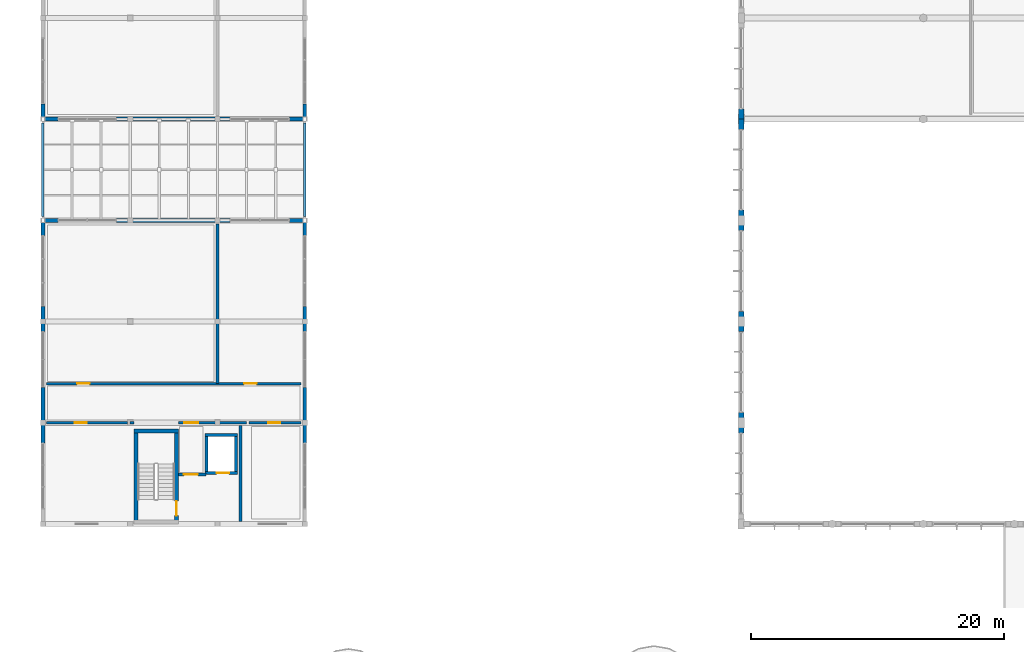
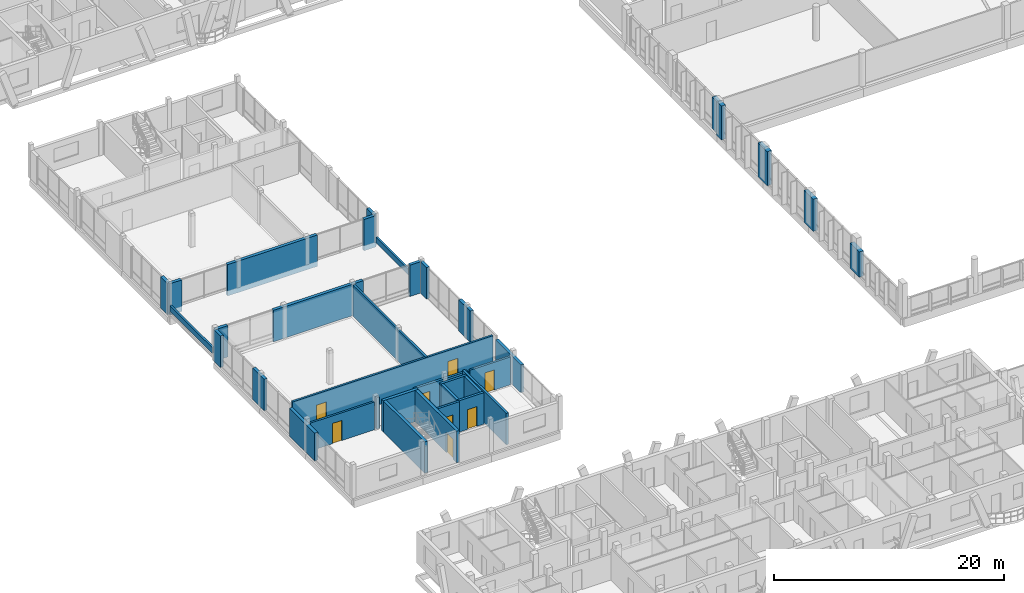
# One storey, part 146 of 189: 36 walls, 8 doors, 8 openings.
"""IFC4 building model written with IfcOpenShell, lengths in metres."""

from ifc_helpers import new_model, si_unit, direction, frame, frame_2d, origin, origin_with_axes, place, context, subcontext, project, spatial, rectangle, extrude, material, layer, layer_set, type_object, element, fill, save


model = new_model("IFC4")

# Units and contexts
model_context = context("Model", 3, precision=1e-05, world=origin(), true_north=direction((0.0, 1.0)))
body_context = subcontext(model_context, "Body", "Model", "MODEL_VIEW")
ifc_project = project(units=[si_unit("LENGTHUNIT", "METRE"), si_unit("AREAUNIT", "SQUARE_METRE"), si_unit("VOLUMEUNIT", "CUBIC_METRE"), si_unit("PLANEANGLEUNIT", "RADIAN"), si_unit("MASSUNIT", "GRAM", prefix="KILO")], contexts=[model_context])

# Site, building, storey
site_placement = place(None, origin())
site = spatial("IfcSite", under=ifc_project, at=site_placement, CompositionType="ELEMENT")
building_placement = place(site_placement, origin())
building = spatial("IfcBuilding", under=site, at=building_placement, Name="Zavelmont Quarter", CompositionType="ELEMENT")
storey_placement = place(building_placement, frame((0.0, 0.0, 4.39990234375)))
storey = spatial("IfcBuildingStorey", under=building, at=storey_placement, Name="L01", CompositionType="ELEMENT", Elevation=4.39990234375)

# Walls
ifc_material_1 = material(Name="Natural Belgian limestone", Category="masonry")
ifc_layer_1 = layer(ifc_material_1, 0.419921875)
ifc_layer_set_1 = layer_set([ifc_layer_1], Name="Natural Belgian limestone")
wall_type_1 = type_object("IfcWallType", Name="EW04", PredefinedType="STANDARD", material=ifc_layer_set_1)
wall_1_placement = place(storey_placement, frame((55.199951171875, 37.199951171875, -0.27978515625), z_axis=(0.0, 0.0, 1.0), x_axis=(0.0, 1.0, 0.0)))
element("IfcWall", 1, at=wall_1_placement, inside=storey, type_object=wall_type_1, Name="L01 exterior limestone wall EW04", PredefinedType="STANDARD", context=body_context, shape_type="SweptSolid", body=[
    extrude(rectangle(XDim=1.60009765625, YDim=0.419921875, at=frame_2d((0.800048828125, 0.0))), origin(), (0.0, 0.0, 1.0), 2.6748046875),
])
wall_2_placement = place(storey_placement, frame((55.199951171875, 45.199951171875, -0.27978515625), z_axis=(0.0, 0.0, 1.0), x_axis=(0.0, 1.0, 0.0)))
element("IfcWall", 2, at=wall_2_placement, inside=storey, type_object=wall_type_1, Name="L01 exterior limestone wall EW04", PredefinedType="STANDARD", context=body_context, shape_type="SweptSolid", body=[
    extrude(rectangle(XDim=1.60009765625, YDim=0.419921875, at=frame_2d((0.800048828125, 0.0))), origin(), (0.0, 0.0, 1.0), 3.4248046875),
])
wall_3_placement = place(storey_placement, frame((55.199951171875, 53.199951171875, -0.27978515625), z_axis=(0.0, 0.0, 1.0), x_axis=(0.0, 1.0, 0.0)))
element("IfcWall", 3, at=wall_3_placement, inside=storey, type_object=wall_type_1, Name="L01 exterior limestone wall EW04", PredefinedType="STANDARD", context=body_context, shape_type="SweptSolid", body=[
    extrude(rectangle(XDim=1.60009765625, YDim=0.419921875, at=frame_2d((0.800048828125, 0.0))), origin(), (0.0, 0.0, 1.0), 3.619873046875),
])
wall_4_placement = place(storey_placement, frame((55.199951171875, 61.199951171875, -0.27978515625), z_axis=(0.0, 0.0, 1.0), x_axis=(0.0, 1.0, 0.0)))
element("IfcWall", 4, at=wall_4_placement, inside=storey, type_object=wall_type_1, Name="L01 exterior limestone wall EW04", PredefinedType="STANDARD", context=body_context, shape_type="SweptSolid", body=[
    extrude(rectangle(XDim=0.800048828125, YDim=0.419921875, at=frame_2d((0.39990234375, 0.0))), origin(), (0.0, 0.0, 1.0), 3.619873046875),
])
wall_5_placement = place(storey_placement, frame((55.199951171875, 62.0, 0.0), z_axis=(0.0, 0.0, 1.0), x_axis=(0.0, 1.0, 0.0)))
element("IfcWall", 5, at=wall_5_placement, inside=storey, type_object=wall_type_1, Name="L01 exterior limestone wall EW04", PredefinedType="STANDARD", context=body_context, shape_type="SweptSolid", body=[
    extrude(rectangle(XDim=0.800048828125, YDim=0.419921875, at=frame_2d((0.39990234375, 0.0))), origin(), (0.0, 0.0, 1.0), 3.340087890625),
])
ifc_layer_2 = layer(ifc_material_1, 0.31005859375)
ifc_layer_set_2 = layer_set([ifc_layer_2], Name="Natural Belgian limestone")
wall_type_2 = type_object("IfcWallType", Name="EW06", PredefinedType="STANDARD", material=ifc_layer_set_2)
wall_6_placement = place(storey_placement, frame((0.0, 36.39990234375, 0.0), z_axis=(0.0, 0.0, 1.0), x_axis=(0.0, 1.0, 0.0)))
element("IfcWall", 6, at=wall_6_placement, inside=storey, type_object=wall_type_2, Name="L01 exterior limestone wall EW06", PredefinedType="STANDARD", context=body_context, shape_type="SweptSolid", body=[
    extrude(rectangle(XDim=4.400146484375, YDim=0.31005859375, at=frame_2d((2.2001953125, 0.0))), origin(), (0.0, 0.0, 1.0), 2.960205078125),
])
wall_7_placement = place(storey_placement, frame((0.0, 45.199951171875, 0.0), z_axis=(0.0, 0.0, 1.0), x_axis=(0.0, 1.0, 0.0)))
element("IfcWall", 7, at=wall_7_placement, inside=storey, type_object=wall_type_2, Name="L01 exterior limestone wall EW06", PredefinedType="STANDARD", context=body_context, shape_type="SweptSolid", body=[
    extrude(rectangle(XDim=2.0, YDim=0.31005859375, at=frame_2d((1.0, 0.0))), origin(), (0.0, 0.0, 1.0), 3.330078125),
])
wall_8_placement = place(storey_placement, frame((0.0, 52.800048828125, 0.0), z_axis=(0.0, 0.0, 1.0), x_axis=(0.0, 1.0, 0.0)))
element("IfcWall", 8, at=wall_8_placement, inside=storey, type_object=wall_type_2, Name="L01 exterior limestone wall EW06", PredefinedType="STANDARD", context=body_context, shape_type="SweptSolid", body=[
    extrude(rectangle(XDim=1.199951171875, YDim=0.31005859375, at=frame_2d((0.60009765625, 0.0))), origin(), (0.0, 0.0, 1.0), 3.330078125),
])
wall_9_placement = place(storey_placement, frame((20.699951171875, 36.39990234375, 0.0), z_axis=(0.0, 0.0, 1.0), x_axis=(0.0, 1.0, 0.0)))
element("IfcWall", 9, at=wall_9_placement, inside=storey, type_object=wall_type_2, Name="L01 exterior limestone wall EW06", PredefinedType="STANDARD", context=body_context, shape_type="SweptSolid", body=[
    extrude(rectangle(XDim=4.400146484375, YDim=0.31005859375, at=frame_2d((2.2001953125, 0.0))), origin(), (0.0, 0.0, 1.0), 2.960205078125),
])
wall_10_placement = place(storey_placement, frame((20.699951171875, 45.199951171875, 0.0), z_axis=(0.0, 0.0, 1.0), x_axis=(0.0, 1.0, 0.0)))
element("IfcWall", 10, at=wall_10_placement, inside=storey, type_object=wall_type_2, Name="L01 exterior limestone wall EW06", PredefinedType="STANDARD", context=body_context, shape_type="SweptSolid", body=[
    extrude(rectangle(XDim=2.0, YDim=0.31005859375, at=frame_2d((1.0, 0.0))), origin(), (0.0, 0.0, 1.0), 3.330078125),
])
for number, where, z_axis, x_axis, name in (
    (11, (20.699951171875, 52.800048828125, 0.0), (0.0, 0.0, 1.0), (0.0, 1.0, 0.0), "L01 exterior limestone wall EW06"),
    (12, (0.0, 54.0, 0.0), (0.0, 0.0, 1.0), (1.0, 0.0, 0.0), "L01 exterior limestone wall EW06"),
):
    element("IfcWall", number, at=place(storey_placement, frame(where, z_axis=z_axis, x_axis=x_axis)), inside=storey, type_object=wall_type_2, Name=name, PredefinedType="STANDARD", context=body_context, shape_type="SweptSolid", body=[
        extrude(rectangle(XDim=1.199951171875, YDim=0.31005859375, at=frame_2d((0.60009765625, 0.0))), origin(), (0.0, 0.0, 1.0), 3.330078125),
    ])
wall_11_placement = place(storey_placement, frame((5.800048828125, 54.0, 0.0), z_axis=(0.0, 0.0, 1.0), x_axis=(1.0, 0.0, 0.0)))
element("IfcWall", 13, at=wall_11_placement, inside=storey, type_object=wall_type_2, Name="L01 exterior limestone wall EW06", PredefinedType="STANDARD", context=body_context, shape_type="SweptSolid", body=[
    extrude(rectangle(XDim=9.0, YDim=0.31005859375, at=frame_2d((4.5, 0.0))), origin(), (0.0, 0.0, 1.0), 3.330078125),
])
for number, where, z_axis, x_axis, name in (
    (14, (19.5, 54.0, 0.0), (0.0, 0.0, 1.0), (1.0, 0.0, 0.0), "L01 exterior limestone wall EW06"),
    (15, (0.0, 62.0, 0.0), (0.0, 0.0, 1.0), (0.0, 1.0, 0.0), "L01 exterior limestone wall EW06"),
    (16, (20.699951171875, 62.0, 0.0), (0.0, 0.0, 1.0), (0.0, 1.0, 0.0), "L01 exterior limestone wall EW06"),
    (17, (0.0, 62.0, 0.0), (0.0, 0.0, 1.0), (1.0, 0.0, 0.0), "L01 exterior limestone wall EW06"),
):
    element("IfcWall", number, at=place(storey_placement, frame(where, z_axis=z_axis, x_axis=x_axis)), inside=storey, type_object=wall_type_2, Name=name, PredefinedType="STANDARD", context=body_context, shape_type="SweptSolid", body=[
        extrude(rectangle(XDim=1.199951171875, YDim=0.31005859375, at=frame_2d((0.60009765625, 0.0))), origin(), (0.0, 0.0, 1.0), 3.330078125),
    ])
wall_12_placement = place(storey_placement, frame((5.800048828125, 62.0, 0.0), z_axis=(0.0, 0.0, 1.0), x_axis=(1.0, 0.0, 0.0)))
element("IfcWall", 18, at=wall_12_placement, inside=storey, type_object=wall_type_2, Name="L01 exterior limestone wall EW06", PredefinedType="STANDARD", context=body_context, shape_type="SweptSolid", body=[
    extrude(rectangle(XDim=9.0, YDim=0.31005859375, at=frame_2d((4.5, 0.0))), origin(), (0.0, 0.0, 1.0), 3.330078125),
])
wall_13_placement = place(storey_placement, frame((19.5, 62.0, 0.0), z_axis=(0.0, 0.0, 1.0), x_axis=(1.0, 0.0, 0.0)))
element("IfcWall", 19, at=wall_13_placement, inside=storey, type_object=wall_type_2, Name="L01 exterior limestone wall EW06", PredefinedType="STANDARD", context=body_context, shape_type="SweptSolid", body=[
    extrude(rectangle(XDim=1.199951171875, YDim=0.31005859375, at=frame_2d((0.60009765625, 0.0))), origin(), (0.0, 0.0, 1.0), 3.330078125),
])

# Wall, openings, doors
ifc_material_2 = material(Name="Calcium-silicate blockwork and acoustic plaster", Category="masonry")
ifc_layer_3 = layer(ifc_material_2, 0.199951171875)
ifc_layer_set_3 = layer_set([ifc_layer_3], Name="Calcium-silicate blockwork and acoustic plaster")
wall_type_3 = type_object("IfcWallType", Name="IW01", PredefinedType="PARTITIONING", material=ifc_layer_set_3)
wall_14_placement = place(storey_placement, frame((0.300048828125, 41.10009765625, 0.0), z_axis=(0.0, 0.0, 1.0), x_axis=(1.0, 0.0, 0.0)))
wall_14 = element("IfcWall", 20, at=wall_14_placement, inside=storey, type_object=wall_type_3, Name="L01 Interior partition IW01", PredefinedType="PARTITIONING", context=body_context, shape_type="SweptSolid", body=[
    extrude(rectangle(XDim=20.099853515625, YDim=0.199951171875, at=frame_2d((10.0498046875, 0.0))), origin(), (0.0, 0.0, 1.0), 3.330078125),
])
opening_1_placement = place(wall_14_placement, frame((2.39990234375, 0.0, 0.0)))
opening_1 = element("IfcOpeningElement", 21, at=opening_1_placement, cuts=wall_14, Name="Opening DR07", PredefinedType="OPENING", context=body_context, shape_type="SweptSolid", body=[
    extrude(rectangle(XDim=1.0, YDim=2.14990234375, at=frame_2d((0.5, 1.074951171875))), frame((0.0, 0.11181640625, 0.0), z_axis=(0.0, -1.0, 0.0), x_axis=(1.0, 0.0, 0.0)), (0.0, 0.0, 1.0), 0.223876953125),
])
opening_2_placement = place(wall_14_placement, frame((15.60009765625, 0.0, 0.0)))
opening_2 = element("IfcOpeningElement", 22, at=opening_2_placement, cuts=wall_14, Name="Opening DR07", PredefinedType="OPENING", context=body_context, shape_type="SweptSolid", body=[
    extrude(rectangle(XDim=1.0, YDim=2.14990234375, at=frame_2d((0.5, 1.074951171875))), frame((0.0, 0.11181640625, 0.0), z_axis=(0.0, -1.0, 0.0), x_axis=(1.0, 0.0, 0.0)), (0.0, 0.0, 1.0), 0.223876953125),
])
ifc_material_3 = material(Name="Solid-core oak fire leaf in steel frame", Category="steel")
door_type_1 = type_object("IfcDoorType", Name="DR07", OperationType="NOTDEFINED", PredefinedType="DOOR", material=ifc_material_3)
door_1_placement = place(opening_1_placement, frame((1.0, 0.0, 0.0), z_axis=(0.0, 0.0, 1.0), x_axis=(-1.0, 0.0, 0.0)))
door_1 = element("IfcDoor", 23, at=door_1_placement, inside=storey, type_object=door_type_1, Name="L01 door DR07", OperationType="SINGLE_SWING_LEFT", OverallHeight=2.14990234375, OverallWidth=1.0, PredefinedType="DOOR", context=body_context, shape_type="SweptSolid", body=[
    extrude(rectangle(XDim=1.0, YDim=2.14990234375, at=frame_2d((0.5, 1.074951171875))), frame((0.0, 0.02490234375, 0.0), z_axis=(0.0, -1.0, 0.0), x_axis=(1.0, 0.0, 0.0)), (0.0, 0.0, 1.0), 0.050048828125),
])
fill(opening_1, door_1)
door_2_placement = place(opening_2_placement, origin_with_axes())
door_2 = element("IfcDoor", 24, at=door_2_placement, inside=storey, type_object=door_type_1, Name="L01 door DR07", OperationType="SINGLE_SWING_RIGHT", OverallHeight=2.14990234375, OverallWidth=1.0, PredefinedType="DOOR", context=body_context, shape_type="SweptSolid", body=[
    extrude(rectangle(XDim=1.0, YDim=2.14990234375, at=frame_2d((0.5, 1.074951171875))), frame((0.0, 0.02490234375, 0.0), z_axis=(0.0, -1.0, 0.0), x_axis=(1.0, 0.0, 0.0)), (0.0, 0.0, 1.0), 0.050048828125),
])
fill(opening_2, door_2)

# Wall
wall_15_placement = place(storey_placement, frame((13.800048828125, 41.10009765625, 0.0), z_axis=(0.0, 0.0, 1.0), x_axis=(0.0, 1.0, 0.0)))
element("IfcWall", 25, at=wall_15_placement, inside=storey, type_object=wall_type_3, Name="L01 Interior partition IW01", PredefinedType="PARTITIONING", context=body_context, shape_type="SweptSolid", body=[
    extrude(rectangle(XDim=12.599853515625, YDim=0.199951171875, at=frame_2d((6.2998046875, 0.0))), origin(), (0.0, 0.0, 1.0), 3.330078125),
])

# Wall, opening, door
wall_16_placement = place(storey_placement, frame((0.300048828125, 38.0, 0.0), z_axis=(0.0, 0.0, 1.0), x_axis=(1.0, 0.0, 0.0)))
wall_16 = element("IfcWall", 26, at=wall_16_placement, inside=storey, type_object=wall_type_3, Name="L01 Interior partition IW01", PredefinedType="PARTITIONING", context=body_context, shape_type="SweptSolid", body=[
    extrude(rectangle(XDim=6.39990234375, YDim=0.199951171875, at=frame_2d((3.199951171875, 0.0))), origin(), (0.0, 0.0, 1.0), 2.960205078125),
])
opening_3_placement = place(wall_16_placement, frame((2.199951171875, 0.0, 0.0)))
opening_3 = element("IfcOpeningElement", 27, at=opening_3_placement, cuts=wall_16, Name="Opening DR02", PredefinedType="OPENING", context=body_context, shape_type="SweptSolid", body=[
    extrude(rectangle(XDim=0.949951171875, YDim=2.14990234375, at=frame_2d((0.47509765625, 1.074951171875))), frame((0.0, 0.11181640625, 0.0), z_axis=(0.0, -1.0, 0.0), x_axis=(1.0, 0.0, 0.0)), (0.0, 0.0, 1.0), 0.223876953125),
])
door_type_2 = type_object("IfcDoorType", Name="DR02", OperationType="NOTDEFINED", PredefinedType="DOOR", material=ifc_material_3)
door_3_placement = place(opening_3_placement, frame((0.949951171875, 0.0, 0.0), z_axis=(0.0, 0.0, 1.0), x_axis=(-1.0, 0.0, 0.0)))
door_3 = element("IfcDoor", 28, at=door_3_placement, inside=storey, type_object=door_type_2, Name="L01 door DR02", OperationType="SINGLE_SWING_LEFT", OverallHeight=2.14990234375, OverallWidth=0.949951171875, PredefinedType="DOOR", context=body_context, shape_type="SweptSolid", body=[
    extrude(rectangle(XDim=0.949951171875, YDim=2.14990234375, at=frame_2d((0.47509765625, 1.074951171875))), frame((0.0, 0.02490234375, 0.0), z_axis=(0.0, -1.0, 0.0), x_axis=(1.0, 0.0, 0.0)), (0.0, 0.0, 1.0), 0.050048828125),
])
fill(opening_3, door_3)

wall_17_placement = place(storey_placement, frame((16.300048828125, 38.0, 0.0), z_axis=(0.0, 0.0, 1.0), x_axis=(1.0, 0.0, 0.0)))
wall_17 = element("IfcWall", 29, at=wall_17_placement, inside=storey, type_object=wall_type_3, Name="L01 Interior partition IW01", PredefinedType="PARTITIONING", context=body_context, shape_type="SweptSolid", body=[
    extrude(rectangle(XDim=4.099853515625, YDim=0.199951171875, at=frame_2d((2.0498046875, 0.0))), origin(), (0.0, 0.0, 1.0), 2.960205078125),
])
opening_4_placement = place(wall_17_placement, frame((1.5, 0.0, 0.0)))
opening_4 = element("IfcOpeningElement", 30, at=opening_4_placement, cuts=wall_17, Name="Opening DR02", PredefinedType="OPENING", context=body_context, shape_type="SweptSolid", body=[
    extrude(rectangle(XDim=0.949951171875, YDim=2.14990234375, at=frame_2d((0.47509765625, 1.074951171875))), frame((0.0, 0.11181640625, 0.0), z_axis=(0.0, -1.0, 0.0), x_axis=(1.0, 0.0, 0.0)), (0.0, 0.0, 1.0), 0.223876953125),
])
door_4_placement = place(opening_4_placement, origin_with_axes())
door_4 = element("IfcDoor", 31, at=door_4_placement, inside=storey, type_object=door_type_2, Name="L01 door DR02", OperationType="SINGLE_SWING_RIGHT", OverallHeight=2.14990234375, OverallWidth=0.949951171875, PredefinedType="DOOR", context=body_context, shape_type="SweptSolid", body=[
    extrude(rectangle(XDim=0.949951171875, YDim=2.14990234375, at=frame_2d((0.47509765625, 1.074951171875))), frame((0.0, 0.02490234375, 0.0), z_axis=(0.0, -1.0, 0.0), x_axis=(1.0, 0.0, 0.0)), (0.0, 0.0, 1.0), 0.050048828125),
])
fill(opening_4, door_4)

# Wall
ifc_material_4 = material(Name="Reinforced masonry fire compartment wall", Category="masonry")
ifc_layer_4 = layer(ifc_material_4, 0.22509765625)
ifc_layer_set_4 = layer_set([ifc_layer_4], Name="Reinforced masonry fire compartment wall")
wall_type_4 = type_object("IfcWallType", Name="IW02", PredefinedType="PARTITIONING", material=ifc_layer_set_4)
wall_18_placement = place(storey_placement, frame((15.610107421875, 30.199951171875, 0.0), z_axis=(0.0, 0.0, 1.0), x_axis=(0.0, 1.0, 0.0)))
element("IfcWall", 32, at=wall_18_placement, inside=storey, type_object=wall_type_4, Name="L01 Firefighting lobby enclosure wall IW02", PredefinedType="PARTITIONING", context=body_context, shape_type="SweptSolid", body=[
    extrude(rectangle(XDim=7.60009765625, YDim=0.22509765625, at=frame_2d((3.800048828125, 0.0))), origin(), (0.0, 0.0, 1.0), 3.330078125),
])

# Wall, opening, door
wall_19_placement = place(storey_placement, frame((10.699951171875, 33.89990234375, 0.0), z_axis=(0.0, 0.0, 1.0), x_axis=(1.0, 0.0, 0.0)))
wall_19 = element("IfcWall", 33, at=wall_19_placement, inside=storey, type_object=wall_type_4, Name="L01 Firefighting lobby threshold wall IW02", PredefinedType="PARTITIONING", context=body_context, shape_type="SweptSolid", body=[
    extrude(rectangle(XDim=2.199951171875, YDim=0.22509765625, at=frame_2d((1.10009765625, 0.0))), origin(), (0.0, 0.0, 1.0), 3.330078125),
])
opening_5_placement = place(wall_19_placement, frame((0.449951171875, 0.0, 0.0)))
opening_5 = element("IfcOpeningElement", 34, at=opening_5_placement, cuts=wall_19, Name="Opening DR10", PredefinedType="OPENING", context=body_context, shape_type="SweptSolid", body=[
    extrude(rectangle(XDim=1.10009765625, YDim=2.14990234375, at=frame_2d((0.550048828125, 1.074951171875))), frame((0.0, 0.12451171875, 0.0), z_axis=(0.0, -1.0, 0.0), x_axis=(1.0, 0.0, 0.0)), (0.0, 0.0, 1.0), 0.2490234375),
])
ifc_material_5 = material(Name="Painted steel lobby fire door", Category="steel")
door_type_3 = type_object("IfcDoorType", Name="DR10", OperationType="NOTDEFINED", PredefinedType="DOOR", material=ifc_material_5)
door_5_placement = place(opening_5_placement, frame((1.10009765625, 0.0, 0.0), z_axis=(0.0, 0.0, 1.0), x_axis=(-1.0, 0.0, 0.0)))
door_5 = element("IfcDoor", 35, at=door_5_placement, inside=storey, type_object=door_type_3, Name="Firefighting lobby fire door", OperationType="SINGLE_SWING_LEFT", OverallHeight=2.14990234375, OverallWidth=1.10009765625, PredefinedType="DOOR", context=body_context, shape_type="SweptSolid", body=[
    extrude(rectangle(XDim=1.10009765625, YDim=2.14990234375, at=frame_2d((0.550048828125, 1.074951171875))), frame((0.0, 0.02490234375, 0.0), z_axis=(0.0, -1.0, 0.0), x_axis=(1.0, 0.0, 0.0)), (0.0, 0.0, 1.0), 0.050048828125),
])
fill(opening_5, door_5)

# Wall
wall_20_placement = place(storey_placement, frame((6.89990234375, 38.0, 0.0), z_axis=(0.0, 0.0, 1.0), x_axis=(1.0, 0.0, 0.0)))
element("IfcWall", 36, at=wall_20_placement, inside=storey, type_object=wall_type_4, Name="L01 Core corridor wall IW02", PredefinedType="PARTITIONING", context=body_context, shape_type="SweptSolid", body=[
    extrude(rectangle(XDim=0.300048828125, YDim=0.22509765625, at=frame_2d((0.14990234375, 0.0))), origin(), (0.0, 0.0, 1.0), 3.330078125),
])

# Wall, opening, door
wall_21_placement = place(storey_placement, frame((10.699951171875, 38.0, 0.0), z_axis=(0.0, 0.0, 1.0), x_axis=(1.0, 0.0, 0.0)))
wall_21 = element("IfcWall", 37, at=wall_21_placement, inside=storey, type_object=wall_type_4, Name="L01 Core corridor fire wall IW02", PredefinedType="PARTITIONING", context=body_context, shape_type="SweptSolid", body=[
    extrude(rectangle(XDim=5.400146484375, YDim=0.22509765625, at=frame_2d((2.7001953125, 0.0))), origin(), (0.0, 0.0, 1.0), 2.960205078125),
])
opening_6_placement = place(wall_21_placement, frame((0.47509765625, 0.0, 0.0)))
opening_6 = element("IfcOpeningElement", 38, at=opening_6_placement, cuts=wall_21, Name="Opening DR10", PredefinedType="OPENING", context=body_context, shape_type="SweptSolid", body=[
    extrude(rectangle(XDim=1.10009765625, YDim=2.14990234375, at=frame_2d((0.550048828125, 1.074951171875))), frame((0.0, 0.12451171875, 0.0), z_axis=(0.0, -1.0, 0.0), x_axis=(1.0, 0.0, 0.0)), (0.0, 0.0, 1.0), 0.2490234375),
])
door_6_placement = place(opening_6_placement, frame((1.10009765625, 0.0, 0.0), z_axis=(0.0, 0.0, 1.0), x_axis=(-1.0, 0.0, 0.0)))
door_6 = element("IfcDoor", 39, at=door_6_placement, inside=storey, type_object=door_type_3, Name="Core vestibule fire door", OperationType="SINGLE_SWING_RIGHT", OverallHeight=2.14990234375, OverallWidth=1.10009765625, PredefinedType="DOOR", context=body_context, shape_type="SweptSolid", body=[
    extrude(rectangle(XDim=1.10009765625, YDim=2.14990234375, at=frame_2d((0.550048828125, 1.074951171875))), frame((0.0, 0.02490234375, 0.0), z_axis=(0.0, -1.0, 0.0), x_axis=(1.0, 0.0, 0.0)), (0.0, 0.0, 1.0), 0.050048828125),
])
fill(opening_6, door_6)

# Walls
ifc_layer_5 = layer(ifc_material_1, 0.18994140625)
ifc_layer_set_5 = layer_set([ifc_layer_5], Name="Natural Belgian limestone")
wall_type_5 = type_object("IfcWallType", Name="PW03", PredefinedType="PARAPET", material=ifc_layer_set_5)
for number, where, z_axis, x_axis, name in (
    (40, (0.0, 54.300048828125, 0.550048828125), (0.0, 0.0, 1.0), (0.0, 1.0, 0.0), "Entrance Canopy CN01 fascia parapet"),
    (41, (20.699951171875, 54.300048828125, 0.550048828125), (0.0, 0.0, 1.0), (0.0, 1.0, 0.0), "Entrance Canopy CN01 fascia parapet"),
):
    element("IfcWall", number, at=place(storey_placement, frame(where, z_axis=z_axis, x_axis=x_axis)), inside=storey, type_object=wall_type_5, Name=name, PredefinedType="PARAPET", context=body_context, shape_type="SweptSolid", body=[
        extrude(rectangle(XDim=7.39990234375, YDim=0.18994140625, at=frame_2d((3.699951171875, 0.0))), origin(), (0.0, 0.0, 1.0), 0.60009765625),
    ])
ifc_material_6 = material(Name="Concrete C40/50", Category="concrete")
ifc_layer_6 = layer(ifc_material_6, 0.300048828125)
ifc_layer_set_6 = layer_set([ifc_layer_6], Name="Concrete C40/50")
wall_type_6 = type_object("IfcWallType", Name="SW01", PredefinedType="SHEAR", material=ifc_layer_set_6)
wall_22_placement = place(storey_placement, frame((7.199951171875, 37.35009765625, 0.0), z_axis=(0.0, 0.0, 1.0), x_axis=(1.0, 0.0, 0.0)))
element("IfcWall", 42, at=wall_22_placement, inside=storey, type_object=wall_type_6, Name="L01 ST13 corridor shear wall SW01", PredefinedType="SHEAR", context=body_context, shape_type="SweptSolid", body=[
    extrude(rectangle(XDim=3.5, YDim=0.300048828125, at=frame_2d((1.75, 0.0))), origin(), (0.0, 0.0, 1.0), 3.330078125),
])
wall_23_placement = place(storey_placement, frame((7.35009765625, 30.0, 0.0), z_axis=(0.0, 0.0, 1.0), x_axis=(0.0, 1.0, 0.0)))
element("IfcWall", 43, at=wall_23_placement, inside=storey, type_object=wall_type_6, Name="L01 ST13 west shear wall SW01", PredefinedType="SHEAR", context=body_context, shape_type="SweptSolid", body=[
    extrude(rectangle(XDim=7.5, YDim=0.300048828125, at=frame_2d((3.75, 0.0))), origin(), (0.0, 0.0, 1.0), 3.330078125),
])

# Wall, opening, door
wall_24_placement = place(storey_placement, frame((10.550048828125, 30.0, 0.0), z_axis=(0.0, 0.0, 1.0), x_axis=(0.0, 1.0, 0.0)))
wall_24 = element("IfcWall", 44, at=wall_24_placement, inside=storey, type_object=wall_type_6, Name="L01 ST13 lobby shear wall SW01", PredefinedType="SHEAR", context=body_context, shape_type="SweptSolid", body=[
    extrude(rectangle(XDim=7.5, YDim=0.300048828125, at=frame_2d((3.75, 0.0))), origin(), (0.0, 0.0, 1.0), 3.330078125),
])
opening_7_placement = place(wall_24_placement, frame((0.64990234375, 0.0, 0.0)))
opening_7 = element("IfcOpeningElement", 45, at=opening_7_placement, cuts=wall_24, Name="Opening DR09", PredefinedType="OPENING", context=body_context, shape_type="SweptSolid", body=[
    extrude(rectangle(XDim=1.14990234375, YDim=2.14990234375, at=frame_2d((0.574951171875, 1.074951171875))), frame((0.0, 0.162109375, 0.0), z_axis=(0.0, -1.0, 0.0), x_axis=(1.0, 0.0, 0.0)), (0.0, 0.0, 1.0), 0.323974609375),
])
ifc_material_7 = material(Name="Painted steel stair-core fire door", Category="steel")
door_type_4 = type_object("IfcDoorType", Name="DR09", OperationType="NOTDEFINED", PredefinedType="DOOR", material=ifc_material_7)
door_7_placement = place(opening_7_placement, origin_with_axes())
door_7 = element("IfcDoor", 46, at=door_7_placement, inside=storey, type_object=door_type_4, Name="ST13 protected stair door", OperationType="SINGLE_SWING_RIGHT", OverallHeight=2.14990234375, OverallWidth=1.14990234375, PredefinedType="DOOR", context=body_context, shape_type="SweptSolid", body=[
    extrude(rectangle(XDim=1.14990234375, YDim=2.14990234375, at=frame_2d((0.574951171875, 1.074951171875))), frame((0.0, 0.02490234375, 0.0), z_axis=(0.0, -1.0, 0.0), x_axis=(1.0, 0.0, 0.0)), (0.0, 0.0, 1.0), 0.050048828125),
])
fill(opening_7, door_7)

ifc_layer_7 = layer(ifc_material_6, 0.25)
ifc_layer_set_7 = layer_set([ifc_layer_7], Name="Concrete C40/50")
wall_type_7 = type_object("IfcWallType", Name="SW02", PredefinedType="SHEAR", material=ifc_layer_set_7)
wall_25_placement = place(storey_placement, frame((12.800048828125, 34.02490234375, 0.0), z_axis=(0.0, 0.0, 1.0), x_axis=(1.0, 0.0, 0.0)))
wall_25 = element("IfcWall", 47, at=wall_25_placement, inside=storey, type_object=wall_type_7, Name="L01 Lift LF11 landing shaft wall SW02", PredefinedType="SHEAR", context=body_context, shape_type="SweptSolid", body=[
    extrude(rectangle(XDim=2.599853515625, YDim=0.25, at=frame_2d((1.2998046875, 0.0))), origin(), (0.0, 0.0, 1.0), 3.330078125),
])
opening_8_placement = place(wall_25_placement, frame((0.925048828125, 0.0, 0.0)))
opening_8 = element("IfcOpeningElement", 48, at=opening_8_placement, cuts=wall_25, Name="Opening LD01", PredefinedType="OPENING", context=body_context, shape_type="SweptSolid", body=[
    extrude(rectangle(XDim=1.0, YDim=2.10009765625, at=frame_2d((0.5, 1.050048828125))), frame((0.0, 0.136962890625, 0.0), z_axis=(0.0, -1.0, 0.0), x_axis=(1.0, 0.0, 0.0)), (0.0, 0.0, 1.0), 0.27392578125),
])
ifc_material_8 = material(Name="Brushed stainless-steel automatic sliding landing door", Category="steel")
door_type_5 = type_object("IfcDoorType", Name="LD01", OperationType="SLIDING_TO_LEFT", PredefinedType="DOOR", material=ifc_material_8)
door_8_placement = place(opening_8_placement, origin_with_axes())
door_8 = element("IfcDoor", 49, at=door_8_placement, inside=storey, type_object=door_type_5, Name="Lift LF11 sliding landing door", OperationType="SLIDING_TO_LEFT", OverallHeight=2.10009765625, OverallWidth=1.0, PredefinedType="DOOR", context=body_context, shape_type="SweptSolid", body=[
    extrude(rectangle(XDim=1.0, YDim=2.10009765625, at=frame_2d((0.5, 1.050048828125))), frame((0.0, 0.02490234375, 0.0), z_axis=(0.0, -1.0, 0.0), x_axis=(1.0, 0.0, 0.0)), (0.0, 0.0, 1.0), 0.050048828125),
])
fill(opening_8, door_8)

# Walls
wall_26_placement = place(storey_placement, frame((12.800048828125, 37.02490234375, 0.0), z_axis=(0.0, 0.0, 1.0), x_axis=(1.0, 0.0, 0.0)))
element("IfcWall", 50, at=wall_26_placement, inside=storey, type_object=wall_type_7, Name="L01 Lift LF11 back shaft wall SW02", PredefinedType="SHEAR", context=body_context, shape_type="SweptSolid", body=[
    extrude(rectangle(XDim=2.599853515625, YDim=0.25, at=frame_2d((1.2998046875, 0.0))), origin(), (0.0, 0.0, 1.0), 3.330078125),
])
for number, where, z_axis, x_axis, name in (
    (51, (12.925048828125, 33.89990234375, 0.0), (0.0, 0.0, 1.0), (0.0, 1.0, 0.0), "L01 Lift LF11 west shaft wall SW02"),
    (52, (15.27490234375, 33.89990234375, 0.0), (0.0, 0.0, 1.0), (0.0, 1.0, 0.0), "L01 Lift LF11 east shaft wall SW02"),
):
    element("IfcWall", number, at=place(storey_placement, frame(where, z_axis=z_axis, x_axis=x_axis)), inside=storey, type_object=wall_type_7, Name=name, PredefinedType="SHEAR", context=body_context, shape_type="SweptSolid", body=[
        extrude(rectangle(XDim=3.25, YDim=0.25, at=frame_2d((1.625, 0.0))), origin(), (0.0, 0.0, 1.0), 3.330078125),
    ])

save(model, "model.ifc")
